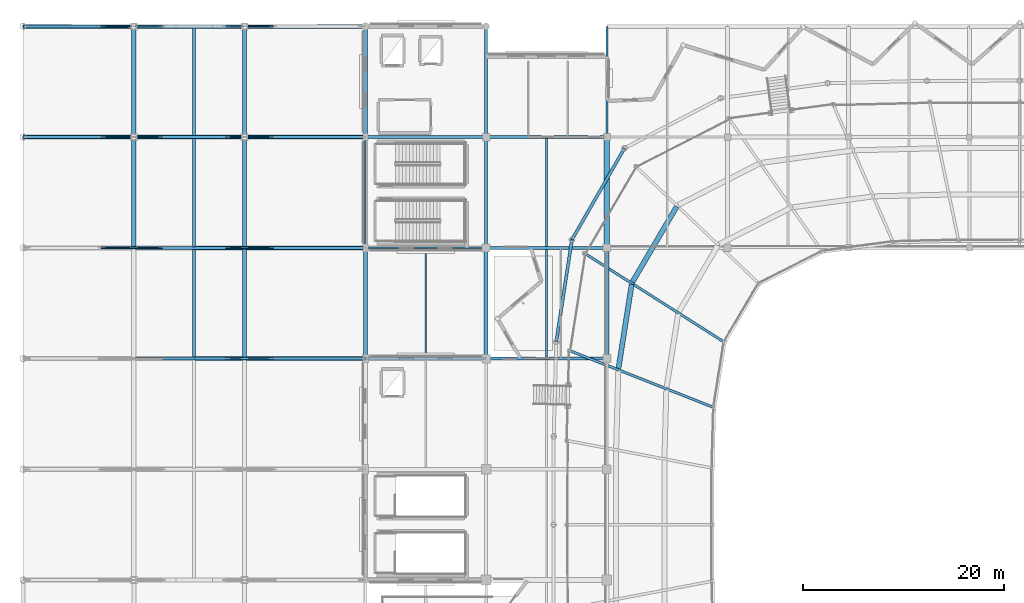
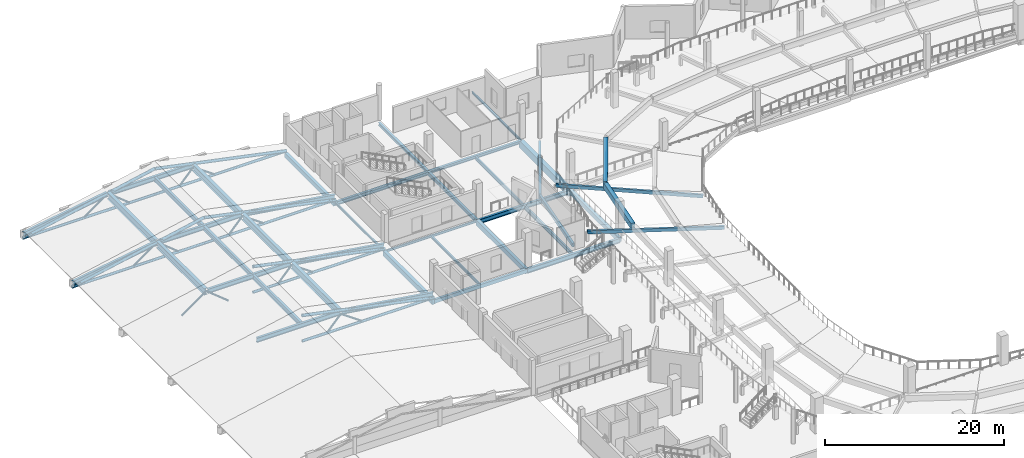
# One storey, part 30 of 77: 41 beams, 26 members.
"""IFC4 building model written with IfcOpenShell, lengths in metres."""

from ifc_helpers import new_model, si_unit, direction, frame, origin, origin_2d, place, context, subcontext, project, spatial, rectangle, hollow_rectangle, hollow_circle, i_section, extrude, material, material_profile, profile_set, type_object, element, save


model = new_model("IFC4")

# Units and contexts
model_context = context("Model", 3, precision=1e-05, world=origin(), true_north=direction((0.0, 1.0)))
body_context = subcontext(model_context, "Body", "Model", "MODEL_VIEW")
ifc_project = project(units=[si_unit("LENGTHUNIT", "METRE"), si_unit("AREAUNIT", "SQUARE_METRE"), si_unit("VOLUMEUNIT", "CUBIC_METRE"), si_unit("PLANEANGLEUNIT", "RADIAN"), si_unit("MASSUNIT", "GRAM", prefix="KILO")], contexts=[model_context])

# Site, building, storey
site_placement = place(None, origin())
site = spatial("IfcSite", under=ifc_project, at=site_placement, CompositionType="ELEMENT")
building_placement = place(site_placement, origin())
building = spatial("IfcBuilding", under=site, at=building_placement, Name="Luwafu Chhajja Arena", CompositionType="ELEMENT")
storey_placement = place(building_placement, frame((0.0, 0.0, 14.699951171875)))
storey = spatial("IfcBuildingStorey", under=building, at=storey_placement, Name="L03", CompositionType="ELEMENT", Elevation=14.699951171875)

# Beams
ifc_material_1 = material(Name="Steel S355", Category="steel")
ifc_material_profile_1 = material_profile(ifc_material_1, hollow_rectangle(XDim=0.25, YDim=0.449951171875, WallThickness=0.01611328125, at=origin_2d()), Name="RHS 450x250x16")
ifc_profile_set_1 = profile_set([ifc_material_profile_1], Name="Steel S355")
beam_type_1 = type_object("IfcBeamType", Name="Cantilevered Upper Bowl Raker RHS 450x250", PredefinedType="USERDEFINED", material=ifc_profile_set_1)
beam_1_placement = place(storey_placement, frame((69.701416015625, 67.600341796875, 0.239990234375), z_axis=(-0.842344515342, 0.535670990695, 0.059264721387), x_axis=(-0.536614196584, -0.843827709917, 0.0)))
element("IfcBeam", 1, at=beam_1_placement, inside=storey, type_object=beam_type_1, Name="Upper Bowl Raker RKR-U14", ObjectType="RAKER", PredefinedType="USERDEFINED", context=body_context, shape_type="SweptSolid", body=[
    extrude(hollow_rectangle(XDim=0.25, YDim=0.449951171875, WallThickness=0.01611328125, at=origin_2d()), origin(), (0.0, 0.0, 1.0), 16.53564453125),
])
beam_2_placement = place(storey_placement, frame((68.676513671875, 61.11328125, 0.239990234375), z_axis=(-0.928463965144, 0.366020596475, 0.063115674639), x_axis=(-0.366751819568, -0.930318817849, 0.0)))
element("IfcBeam", 2, at=beam_2_placement, inside=storey, type_object=beam_type_1, Name="Upper Bowl Raker RKR-U15", ObjectType="RAKER", PredefinedType="USERDEFINED", context=body_context, shape_type="SweptSolid", body=[
    extrude(hollow_rectangle(XDim=0.25, YDim=0.449951171875, WallThickness=0.01611328125, at=origin_2d()), origin(), (0.0, 0.0, 1.0), 15.52685546875),
])
ifc_material_profile_2 = material_profile(ifc_material_1, i_section(OverallWidth=0.165771484375, OverallDepth=0.306640625, WebThickness=0.006591796875, FlangeThickness=0.01171875, at=origin_2d()), Name="UB 305x165x46")
ifc_profile_set_2 = profile_set([ifc_material_profile_2], Name="Steel S355")
beam_type_2 = type_object("IfcBeamType", Name="Concourse Edge Spandrel Beam UB 305x165x46", PredefinedType="SPANDREL", material=ifc_profile_set_2)
beam_3_placement = place(storey_placement, frame((34.0, 77.0, -0.543212890625), z_axis=(1.0, 0.0, 0.0), x_axis=(0.0, 1.0, 0.0)))
element("IfcBeam", 3, at=beam_3_placement, inside=storey, type_object=beam_type_2, Name="L03 Grid Beam 4-5/H", PredefinedType="SPANDREL", context=body_context, shape_type="SweptSolid", body=[
    extrude(i_section(OverallWidth=0.165771484375, OverallDepth=0.306640625, WebThickness=0.006591796875, FlangeThickness=0.01171875, at=origin_2d()), origin(), (0.0, 0.0, 1.0), 12.0),
])
for number, where, z_axis, x_axis, name in (
    (4, (34.0, 77.0, -0.543212890625), (0.0, 1.0, 0.0), (-1.0, 0.0, 0.0), "L03 Grid Beam 4/H-J"),
    (5, (58.0, 88.0, -0.543212890625), (0.0, 1.0, 0.0), (-1.0, 0.0, 0.0), "L03 Grid Beam 6/J-K"),
):
    element("IfcBeam", number, at=place(storey_placement, frame(where, z_axis=z_axis, x_axis=x_axis)), inside=storey, type_object=beam_type_2, Name=name, PredefinedType="SPANDREL", context=body_context, shape_type="SweptSolid", body=[
        extrude(i_section(OverallWidth=0.165771484375, OverallDepth=0.306640625, WebThickness=0.006591796875, FlangeThickness=0.01171875, at=origin_2d()), origin(), (0.0, 0.0, 1.0), 11.0),
    ])
ifc_material_2 = material(Name="Concrete C35/45", Category="concrete")
ifc_material_profile_3 = material_profile(ifc_material_2, rectangle(XDim=0.550048828125, YDim=0.949951171875, at=origin_2d()), Name="RC 550x950")
ifc_profile_set_3 = profile_set([ifc_material_profile_3], Name="Concrete C35/45")
beam_type_3 = type_object("IfcBeamType", Name="Concourse Radial Girder RC 550x950", PredefinedType="BEAM", material=ifc_profile_set_3)
beam_4_placement = place(storey_placement, frame((58.0, 77.0, -0.864990234375), z_axis=(0.0, 1.0, 0.0), x_axis=(-1.0, 0.0, 0.0)))
element("IfcBeam", 6, at=beam_4_placement, inside=storey, type_object=beam_type_3, Name="L03 Grid Beam 6/H-J", PredefinedType="BEAM", context=body_context, shape_type="SweptSolid", body=[
    extrude(rectangle(XDim=0.550048828125, YDim=0.949951171875, at=origin_2d()), origin(), (0.0, 0.0, 1.0), 11.0),
])
ifc_material_profile_4 = material_profile(ifc_material_1, i_section(OverallWidth=0.19140625, OverallDepth=0.4599609375, WebThickness=0.010009765625, FlangeThickness=0.01611328125, at=origin_2d()), Name="UB 457x191x82")
ifc_profile_set_4 = profile_set([ifc_material_profile_4], Name="Steel S355")
beam_type_4 = type_object("IfcBeamType", Name="Floor Joist UB 457x191x82", PredefinedType="JOIST", material=ifc_profile_set_4)
beam_5_placement = place(storey_placement, frame((52.0, 77.14990234375, -0.619873046875), z_axis=(0.0, 1.0, 0.0), x_axis=(-1.0, 0.0, 0.0)))
element("IfcBeam", 7, at=beam_5_placement, inside=storey, type_object=beam_type_4, Name="L03 Secondary Joist 5-6/H", PredefinedType="JOIST", context=body_context, shape_type="SweptSolid", body=[
    extrude(i_section(OverallWidth=0.19140625, OverallDepth=0.4599609375, WebThickness=0.010009765625, FlangeThickness=0.01611328125, at=origin_2d()), origin(), (0.0, 0.0, 1.0), 10.7001953125),
])
ifc_material_profile_5 = material_profile(ifc_material_1, i_section(OverallWidth=0.209228515625, OverallDepth=0.533203125, WebThickness=0.010009765625, FlangeThickness=0.015625, at=origin_2d()), Name="UB 533x210x92")
ifc_profile_set_5 = profile_set([ifc_material_profile_5], Name="Steel S355")
beam_type_5 = type_object("IfcBeamType", Name="Floor Joist UB 533x210x92", PredefinedType="JOIST", material=ifc_profile_set_5)
beam_6_placement = place(storey_placement, frame((52.0, 66.153564453125, -0.656494140625), z_axis=(0.0, 1.0, 0.0), x_axis=(-1.0, 0.0, 0.0)))
element("IfcBeam", 8, at=beam_6_placement, inside=storey, type_object=beam_type_5, Name="L03 Secondary Joist 5-6/G", PredefinedType="JOIST", context=body_context, shape_type="SweptSolid", body=[
    extrude(i_section(OverallWidth=0.209228515625, OverallDepth=0.533203125, WebThickness=0.010009765625, FlangeThickness=0.015625, at=origin_2d()), origin(), (0.0, 0.0, 1.0), 10.696533203125),
])
ifc_material_profile_6 = material_profile(ifc_material_2, rectangle(XDim=0.5, YDim=0.800048828125, at=origin_2d()), Name="RC 500x800")
ifc_profile_set_6 = profile_set([ifc_material_profile_6], Name="Concrete C35/45")
beam_type_6 = type_object("IfcBeamType", Name="Hospitality Primary Beam RC 500x800", PredefinedType="BEAM", material=ifc_profile_set_6)
beam_7_placement = place(storey_placement, frame((64.9375, 81.102294921875, 1.380126953125), z_axis=(-0.506098278206, -0.862475815775, 0.0), x_axis=(0.862475815775, -0.506098278206, 0.0)))
element("IfcBeam", 9, at=beam_7_placement, inside=storey, type_object=beam_type_6, Name="Upper Tier Ring Beam S13-B3", PredefinedType="BEAM", context=body_context, shape_type="SweptSolid", body=[
    extrude(rectangle(XDim=0.5, YDim=0.800048828125, at=origin_2d()), origin(), (0.0, 0.0, 1.0), 8.68310546875),
])
beam_8_placement = place(storey_placement, frame((60.46044921875, 73.3818359375, 1.380126953125), z_axis=(-0.154767809248, -0.987950871866, 0.0), x_axis=(0.987950871866, -0.154767809248, 0.0)))
element("IfcBeam", 10, at=beam_8_placement, inside=storey, type_object=beam_type_6, Name="Upper Tier Ring Beam S14-B3", PredefinedType="BEAM", context=body_context, shape_type="SweptSolid", body=[
    extrude(rectangle(XDim=0.5, YDim=0.800048828125, at=origin_2d()), origin(), (0.0, 0.0, 1.0), 8.458251953125),
])
ifc_material_profile_7 = material_profile(ifc_material_1, i_section(OverallWidth=0.41845703125, OverallDepth=0.911865234375, WebThickness=0.019287109375, FlangeThickness=0.031982421875, at=origin_2d()), Name="UB 914x419x343")
ifc_profile_set_7 = profile_set([ifc_material_profile_7], Name="Steel S355")
beam_type_7 = type_object("IfcBeamType", Name="Outer Compression Ring Girder UB 914x419x343", PredefinedType="BEAM", material=ifc_profile_set_7)
for number, where, z_axis, x_axis, name in (
    (11, (11.0, 77.1201171875, 1.949951171875), (0.0, 1.0, 0.0), (-1.0, 0.0, 0.0), "Warm-Up W Spine Girder Bay 7"),
    (12, (11.0, 88.1201171875, 1.949951171875), (0.0, 1.0, 0.0), (-1.0, 0.0, 0.0), "Warm-Up W Spine Girder Bay 8"),
    (13, (22.0, 66.1201171875, 1.949951171875), (0.0, 1.0, 0.0), (-1.0, 0.0, 0.0), "Warm-Up E Spine Girder Bay 6"),
    (14, (22.0, 77.1201171875, 1.949951171875), (0.0, 1.0, 0.0), (-1.0, 0.0, 0.0), "Warm-Up E Spine Girder Bay 7"),
    (15, (22.0, 88.1201171875, 1.949951171875), (0.0, 1.0, 0.0), (-1.0, 0.0, 0.0), "Warm-Up E Spine Girder Bay 8"),
):
    element("IfcBeam", number, at=place(storey_placement, frame(where, z_axis=z_axis, x_axis=x_axis)), inside=storey, type_object=beam_type_7, Name=name, PredefinedType="BEAM", context=body_context, shape_type="SweptSolid", body=[
        extrude(i_section(OverallWidth=0.41845703125, OverallDepth=0.911865234375, WebThickness=0.019287109375, FlangeThickness=0.031982421875, at=origin_2d()), origin(), (0.0, 0.0, 1.0), 10.759765625),
    ])
ifc_material_profile_8 = material_profile(ifc_material_1, hollow_rectangle(XDim=0.300048828125, YDim=0.5, WallThickness=0.02001953125, at=origin_2d()), Name="RHS 500x300x20")
ifc_profile_set_8 = profile_set([ifc_material_profile_8], Name="Steel S355")
beam_type_8 = type_object("IfcBeamType", Name="Pleated Drum Spandrel Beam RHS 500x300", PredefinedType="SPANDREL", material=ifc_profile_set_8)
beam_9_placement = place(storey_placement, frame((34.0, 66.0, -0.639892578125), z_axis=(1.0, 0.0, 0.0), x_axis=(0.0, 1.0, 0.0)))
element("IfcBeam", 16, at=beam_9_placement, inside=storey, type_object=beam_type_8, Name="L03 Grid Beam 4-5/G", PredefinedType="SPANDREL", context=body_context, shape_type="SweptSolid", body=[
    extrude(hollow_rectangle(XDim=0.300048828125, YDim=0.5, WallThickness=0.02001953125, at=origin_2d()), origin(), (0.0, 0.0, 1.0), 12.0),
])
beam_10_placement = place(storey_placement, frame((59.743896484375, 86.890869140625, -0.639892578125), z_axis=(-0.498192671921, -0.867066353657, 0.0), x_axis=(0.867066353657, -0.498192671921, 0.0)))
element("IfcBeam", 17, at=beam_10_placement, inside=storey, type_object=beam_type_8, Name="L03 Drum Ring Spandrel D13-D14", PredefinedType="SPANDREL", context=body_context, shape_type="SweptSolid", body=[
    extrude(hollow_rectangle(XDim=0.300048828125, YDim=0.5, WallThickness=0.02001953125, at=origin_2d()), origin(), (0.0, 0.0, 1.0), 10.477783203125),
])
beam_11_placement = place(storey_placement, frame((54.52392578125, 77.805908203125, -0.639892578125), z_axis=(-0.1515977802, -0.988442265911, 0.0), x_axis=(0.988442265911, -0.1515977802, 0.0)))
element("IfcBeam", 18, at=beam_11_placement, inside=storey, type_object=beam_type_8, Name="L03 Drum Ring Spandrel D14-D15", PredefinedType="SPANDREL", context=body_context, shape_type="SweptSolid", body=[
    extrude(hollow_rectangle(XDim=0.300048828125, YDim=0.5, WallThickness=0.02001953125, at=origin_2d()), origin(), (0.0, 0.0, 1.0), 10.263427734375),
])
ifc_material_profile_9 = material_profile(ifc_material_2, rectangle(XDim=0.39990234375, YDim=0.60009765625, at=origin_2d()), Name="RC 400x600")
ifc_profile_set_9 = profile_set([ifc_material_profile_9], Name="Concrete C35/45")
beam_type_9 = type_object("IfcBeamType", Name="Podium Perimeter Spandrel RC 400x600", PredefinedType="SPANDREL", material=ifc_profile_set_9)
for number, where, z_axis, x_axis, name in (
    (19, (34.0, 88.0, -0.68994140625), (0.0, 1.0, 0.0), (-1.0, 0.0, 0.0), "L03 Grid Beam 4/J-K"),
    (20, (58.0, 66.0, -0.68994140625), (0.0, 1.0, 0.0), (-1.0, 0.0, 0.0), "L03 Grid Beam 6/G-H"),
):
    element("IfcBeam", number, at=place(storey_placement, frame(where, z_axis=z_axis, x_axis=x_axis)), inside=storey, type_object=beam_type_9, Name=name, PredefinedType="SPANDREL", context=body_context, shape_type="SweptSolid", body=[
        extrude(rectangle(XDim=0.39990234375, YDim=0.60009765625, at=origin_2d()), origin(), (0.0, 0.0, 1.0), 11.0),
    ])
ifc_material_profile_10 = material_profile(ifc_material_1, i_section(OverallWidth=0.300048828125, OverallDepth=0.5, WebThickness=0.014404296875, FlangeThickness=0.028076171875, at=origin_2d()), Name="HEB 500")
ifc_profile_set_10 = profile_set([ifc_material_profile_10], Name="Steel S355")
beam_type_10 = type_object("IfcBeamType", Name="Steel Atrium Tie Girder HEB 500", PredefinedType="BEAM", material=ifc_profile_set_10)
beam_12_placement = place(storey_placement, frame((34.0, 88.0, -0.639892578125), z_axis=(1.0, 0.0, 0.0), x_axis=(0.0, 1.0, 0.0)))
element("IfcBeam", 21, at=beam_12_placement, inside=storey, type_object=beam_type_10, Name="L03 Grid Beam 4-5/J", PredefinedType="BEAM", context=body_context, shape_type="SweptSolid", body=[
    extrude(i_section(OverallWidth=0.300048828125, OverallDepth=0.5, WebThickness=0.014404296875, FlangeThickness=0.028076171875, at=origin_2d()), origin(), (0.0, 0.0, 1.0), 12.0),
])
beam_13_placement = place(storey_placement, frame((46.0, 77.0, -0.639892578125), z_axis=(0.0, 1.0, 0.0), x_axis=(-1.0, 0.0, 0.0)))
element("IfcBeam", 22, at=beam_13_placement, inside=storey, type_object=beam_type_10, Name="L03 Grid Beam 5/H-J", PredefinedType="BEAM", context=body_context, shape_type="SweptSolid", body=[
    extrude(i_section(OverallWidth=0.300048828125, OverallDepth=0.5, WebThickness=0.014404296875, FlangeThickness=0.028076171875, at=origin_2d()), origin(), (0.0, 0.0, 1.0), 11.0),
])
ifc_material_profile_11 = material_profile(ifc_material_1, i_section(OverallWidth=0.300048828125, OverallDepth=0.60009765625, WebThickness=0.015380859375, FlangeThickness=0.030029296875, at=origin_2d()), Name="HEB 600")
ifc_profile_set_11 = profile_set([ifc_material_profile_11], Name="Steel S355")
beam_type_11 = type_object("IfcBeamType", Name="Steel Gallery Girder HEB 600", PredefinedType="BEAM", material=ifc_profile_set_11)
beam_14_placement = place(storey_placement, frame((46.0, 77.0, -0.68994140625), z_axis=(1.0, 0.0, 0.0), x_axis=(0.0, 1.0, 0.0)))
element("IfcBeam", 23, at=beam_14_placement, inside=storey, type_object=beam_type_11, Name="L03 Grid Beam 5-6/H", PredefinedType="BEAM", context=body_context, shape_type="SweptSolid", body=[
    extrude(i_section(OverallWidth=0.300048828125, OverallDepth=0.60009765625, WebThickness=0.015380859375, FlangeThickness=0.030029296875, at=origin_2d()), origin(), (0.0, 0.0, 1.0), 12.0),
])
ifc_material_profile_12 = material_profile(ifc_material_1, i_section(OverallWidth=0.30712890625, OverallDepth=0.6201171875, WebThickness=0.01416015625, FlangeThickness=0.023681640625, at=origin_2d()), Name="UB 610x305x179")
ifc_profile_set_12 = profile_set([ifc_material_profile_12], Name="Steel S355")
beam_type_12 = type_object("IfcBeamType", Name="Steel Hospitality Girder UB 610x305x179", PredefinedType="BEAM", material=ifc_profile_set_12)
beam_15_placement = place(storey_placement, frame((46.0, 66.0, -0.699951171875), z_axis=(1.0, 0.0, 0.0), x_axis=(0.0, 1.0, 0.0)))
element("IfcBeam", 24, at=beam_15_placement, inside=storey, type_object=beam_type_12, Name="L03 Grid Beam 5-6/G", PredefinedType="BEAM", context=body_context, shape_type="SweptSolid", body=[
    extrude(i_section(OverallWidth=0.30712890625, OverallDepth=0.6201171875, WebThickness=0.01416015625, FlangeThickness=0.023681640625, at=origin_2d()), origin(), (0.0, 0.0, 1.0), 12.0),
])
beam_16_placement = place(storey_placement, frame((11.1201171875, 66.0, 2.080078125), z_axis=(1.0, 0.0, 0.0), x_axis=(0.0, 1.0, 0.0)))
element("IfcBeam", 25, at=beam_16_placement, inside=storey, type_object=beam_type_12, Name="Warm-Up Truss 03 Crown Tie Girder", PredefinedType="BEAM", context=body_context, shape_type="SweptSolid", body=[
    extrude(i_section(OverallWidth=0.30712890625, OverallDepth=0.6201171875, WebThickness=0.01416015625, FlangeThickness=0.023681640625, at=origin_2d()), origin(), (0.0, 0.0, 1.0), 10.759765625),
])
beam_17_placement = place(storey_placement, frame((22.1201171875, 66.0, 2.080078125), z_axis=(0.989387417973, 0.0, -0.145301538731), x_axis=(0.0, 1.0, 0.0)))
element("IfcBeam", 26, at=beam_17_placement, inside=storey, type_object=beam_type_12, Name="Warm-Up Truss 03 East Rafter", PredefinedType="BEAM", context=body_context, shape_type="SweptSolid", body=[
    extrude(i_section(OverallWidth=0.30712890625, OverallDepth=0.6201171875, WebThickness=0.01416015625, FlangeThickness=0.023681640625, at=origin_2d()), origin(), (0.0, 0.0, 1.0), 11.90625),
])
beam_18_placement = place(storey_placement, frame((11.1201171875, 77.0, 2.080078125), z_axis=(1.0, 0.0, 0.0), x_axis=(0.0, 1.0, 0.0)))
element("IfcBeam", 27, at=beam_18_placement, inside=storey, type_object=beam_type_12, Name="Warm-Up Truss 04 Crown Tie Girder", PredefinedType="BEAM", context=body_context, shape_type="SweptSolid", body=[
    extrude(i_section(OverallWidth=0.30712890625, OverallDepth=0.6201171875, WebThickness=0.01416015625, FlangeThickness=0.023681640625, at=origin_2d()), origin(), (0.0, 0.0, 1.0), 10.759765625),
])
beam_19_placement = place(storey_placement, frame((22.1201171875, 77.0, 2.080078125), z_axis=(0.989387417973, 0.0, -0.145301538731), x_axis=(0.0, 1.0, 0.0)))
element("IfcBeam", 28, at=beam_19_placement, inside=storey, type_object=beam_type_12, Name="Warm-Up Truss 04 East Rafter", PredefinedType="BEAM", context=body_context, shape_type="SweptSolid", body=[
    extrude(i_section(OverallWidth=0.30712890625, OverallDepth=0.6201171875, WebThickness=0.01416015625, FlangeThickness=0.023681640625, at=origin_2d()), origin(), (0.0, 0.0, 1.0), 11.90625),
])
beam_20_placement = place(storey_placement, frame((0.10009765625, 88.0, 0.35009765625), z_axis=(0.987366005777, 0.0, 0.158456210467), x_axis=(0.0, 1.0, 0.0)))
element("IfcBeam", 29, at=beam_20_placement, inside=storey, type_object=beam_type_12, Name="Warm-Up Truss 05 West Rafter", PredefinedType="BEAM", context=body_context, shape_type="SweptSolid", body=[
    extrude(i_section(OverallWidth=0.30712890625, OverallDepth=0.6201171875, WebThickness=0.01416015625, FlangeThickness=0.023681640625, at=origin_2d()), origin(), (0.0, 0.0, 1.0), 10.917724609375),
])
beam_21_placement = place(storey_placement, frame((11.1201171875, 88.0, 2.080078125), z_axis=(1.0, 0.0, 0.0), x_axis=(0.0, 1.0, 0.0)))
element("IfcBeam", 30, at=beam_21_placement, inside=storey, type_object=beam_type_12, Name="Warm-Up Truss 05 Crown Tie Girder", PredefinedType="BEAM", context=body_context, shape_type="SweptSolid", body=[
    extrude(i_section(OverallWidth=0.30712890625, OverallDepth=0.6201171875, WebThickness=0.01416015625, FlangeThickness=0.023681640625, at=origin_2d()), origin(), (0.0, 0.0, 1.0), 10.759765625),
])
beam_22_placement = place(storey_placement, frame((22.1201171875, 88.0, 2.080078125), z_axis=(0.989387417973, 0.0, -0.145301538731), x_axis=(0.0, 1.0, 0.0)))
element("IfcBeam", 31, at=beam_22_placement, inside=storey, type_object=beam_type_12, Name="Warm-Up Truss 05 East Rafter", PredefinedType="BEAM", context=body_context, shape_type="SweptSolid", body=[
    extrude(i_section(OverallWidth=0.30712890625, OverallDepth=0.6201171875, WebThickness=0.01416015625, FlangeThickness=0.023681640625, at=origin_2d()), origin(), (0.0, 0.0, 1.0), 11.90625),
])
beam_23_placement = place(storey_placement, frame((0.10009765625, 99.0, 0.35009765625), z_axis=(0.987366005777, 0.0, 0.158456210467), x_axis=(0.0, 1.0, 0.0)))
element("IfcBeam", 32, at=beam_23_placement, inside=storey, type_object=beam_type_12, Name="Warm-Up Truss 06 West Rafter", PredefinedType="BEAM", context=body_context, shape_type="SweptSolid", body=[
    extrude(i_section(OverallWidth=0.30712890625, OverallDepth=0.6201171875, WebThickness=0.01416015625, FlangeThickness=0.023681640625, at=origin_2d()), origin(), (0.0, 0.0, 1.0), 10.917724609375),
])
beam_24_placement = place(storey_placement, frame((11.1201171875, 99.0, 2.080078125), z_axis=(1.0, 0.0, 0.0), x_axis=(0.0, 1.0, 0.0)))
element("IfcBeam", 33, at=beam_24_placement, inside=storey, type_object=beam_type_12, Name="Warm-Up Truss 06 Crown Tie Girder", PredefinedType="BEAM", context=body_context, shape_type="SweptSolid", body=[
    extrude(i_section(OverallWidth=0.30712890625, OverallDepth=0.6201171875, WebThickness=0.01416015625, FlangeThickness=0.023681640625, at=origin_2d()), origin(), (0.0, 0.0, 1.0), 10.759765625),
])
for number, where, z_axis, x_axis, name in (
    (34, (17.0, 66.10009765625, 2.080078125), (0.0, 1.0, 0.0), (-1.0, 0.0, 0.0), "Warm-Up Ridge Girder Bay 6"),
    (35, (17.0, 77.10009765625, 2.080078125), (0.0, 1.0, 0.0), (-1.0, 0.0, 0.0), "Warm-Up Ridge Girder Bay 7"),
    (36, (17.0, 88.10009765625, 2.080078125), (0.0, 1.0, 0.0), (-1.0, 0.0, 0.0), "Warm-Up Ridge Girder Bay 8"),
):
    element("IfcBeam", number, at=place(storey_placement, frame(where, z_axis=z_axis, x_axis=x_axis)), inside=storey, type_object=beam_type_12, Name=name, PredefinedType="BEAM", context=body_context, shape_type="SweptSolid", body=[
        extrude(i_section(OverallWidth=0.30712890625, OverallDepth=0.6201171875, WebThickness=0.01416015625, FlangeThickness=0.023681640625, at=origin_2d()), origin(), (0.0, 0.0, 1.0), 10.7998046875),
    ])
ifc_material_profile_13 = material_profile(ifc_material_1, i_section(OverallWidth=0.300048828125, OverallDepth=0.39990234375, WebThickness=0.013427734375, FlangeThickness=0.02392578125, at=origin_2d()), Name="HEB 400")
ifc_profile_set_13 = profile_set([ifc_material_profile_13], Name="Steel S355")
beam_type_13 = type_object("IfcBeamType", Name="Steel Rigging Grid Beam HEB 400", PredefinedType="BEAM", material=ifc_profile_set_13)
beam_25_placement = place(storey_placement, frame((46.0, 88.0, -0.58984375), z_axis=(1.0, 0.0, 0.0), x_axis=(0.0, 1.0, 0.0)))
element("IfcBeam", 37, at=beam_25_placement, inside=storey, type_object=beam_type_13, Name="L03 Grid Beam 5-6/J", PredefinedType="BEAM", context=body_context, shape_type="SweptSolid", body=[
    extrude(i_section(OverallWidth=0.300048828125, OverallDepth=0.39990234375, WebThickness=0.013427734375, FlangeThickness=0.02392578125, at=origin_2d()), origin(), (0.0, 0.0, 1.0), 12.0),
])
beam_26_placement = place(storey_placement, frame((46.0, 88.0, -0.58984375), z_axis=(0.0, 1.0, 0.0), x_axis=(-1.0, 0.0, 0.0)))
element("IfcBeam", 38, at=beam_26_placement, inside=storey, type_object=beam_type_13, Name="L03 Grid Beam 5/J-K", PredefinedType="BEAM", context=body_context, shape_type="SweptSolid", body=[
    extrude(i_section(OverallWidth=0.300048828125, OverallDepth=0.39990234375, WebThickness=0.013427734375, FlangeThickness=0.02392578125, at=origin_2d()), origin(), (0.0, 0.0, 1.0), 11.0),
])

# Members
ifc_material_profile_14 = material_profile(ifc_material_1, hollow_circle(Radius=0.177734375, WallThickness=0.01416015625, at=origin_2d()), Name="CHS 355.6x14.2")
ifc_profile_set_14 = profile_set([ifc_material_profile_14], Name="Steel S355")
member_type_1 = type_object("IfcMemberType", Name="Warm-Up Truss Bottom Chord CHS 355", PredefinedType="CHORD", material=ifc_profile_set_14)
for number, where, z_axis, x_axis, name in (
    (39, (17.0, 66.0, -0.14990234375), (1.0, 0.0, 0.0), (0.0, 1.0, 0.0), "Roof truss bottom chord WT-03E"),
    (40, (17.0, 77.0, -0.14990234375), (1.0, 0.0, 0.0), (0.0, 1.0, 0.0), "Roof truss bottom chord WT-04E"),
    (41, (0.0, 88.0, -0.14990234375), (1.0, 0.0, 0.0), (0.0, 1.0, 0.0), "Roof truss bottom chord WT-05W"),
    (42, (17.0, 88.0, -0.14990234375), (1.0, 0.0, 0.0), (0.0, 1.0, 0.0), "Roof truss bottom chord WT-05E"),
    (43, (0.0, 99.0, -0.14990234375), (1.0, 0.0, 0.0), (0.0, 1.0, 0.0), "Roof truss bottom chord WT-06W"),
    (44, (17.0, 99.0, -0.14990234375), (1.0, 0.0, 0.0), (0.0, 1.0, 0.0), "Roof truss bottom chord WT-06E"),
):
    element("IfcMember", number, at=place(storey_placement, frame(where, z_axis=z_axis, x_axis=x_axis)), inside=storey, type_object=member_type_1, Name=name, PredefinedType="CHORD", context=body_context, shape_type="SweptSolid", body=[
        extrude(hollow_circle(Radius=0.177734375, WallThickness=0.01416015625, at=origin_2d()), origin(), (0.0, 0.0, 1.0), 17.0),
    ])
ifc_material_profile_15 = material_profile(ifc_material_1, hollow_circle(Radius=0.203125, WallThickness=0.01611328125, at=origin_2d()), Name="CHS 406.4x16")
ifc_profile_set_15 = profile_set([ifc_material_profile_15], Name="Steel S355")
member_type_2 = type_object("IfcMemberType", Name="Warm-Up Truss Top Chord CHS 406", PredefinedType="CHORD", material=ifc_profile_set_15)
for number, where, z_axis, x_axis, name in (
    (45, (17.0, 66.0, 3.35009765625), (0.979457043257, 0.0, -0.20165292067), (0.0, 1.0, 0.0), "Roof truss top chord WT-03E"),
    (46, (17.0, 77.0, 3.35009765625), (0.979457043257, 0.0, -0.20165292067), (0.0, 1.0, 0.0), "Roof truss top chord WT-04E"),
    (47, (0.0, 88.0, -0.14990234375), (0.979457043257, 0.0, 0.20165292067), (0.0, 1.0, 0.0), "Roof truss top chord WT-05W"),
    (48, (17.0, 88.0, 3.35009765625), (0.979457043257, 0.0, -0.20165292067), (0.0, 1.0, 0.0), "Roof truss top chord WT-05E"),
    (49, (0.0, 99.0, -0.14990234375), (0.979457043257, 0.0, 0.20165292067), (0.0, 1.0, 0.0), "Roof truss top chord WT-06W"),
    (50, (17.0, 99.0, 3.35009765625), (0.979457043257, 0.0, -0.20165292067), (0.0, 1.0, 0.0), "Roof truss top chord WT-06E"),
):
    element("IfcMember", number, at=place(storey_placement, frame(where, z_axis=z_axis, x_axis=x_axis)), inside=storey, type_object=member_type_2, Name=name, PredefinedType="CHORD", context=body_context, shape_type="SweptSolid", body=[
        extrude(hollow_circle(Radius=0.203125, WallThickness=0.01611328125, at=origin_2d()), origin(), (0.0, 0.0, 1.0), 17.3564453125),
    ])
ifc_material_profile_16 = material_profile(ifc_material_1, hollow_circle(Radius=0.122314453125, WallThickness=0.010009765625, at=origin_2d()), Name="CHS 244.5x10")
ifc_profile_set_16 = profile_set([ifc_material_profile_16], Name="Steel S355")
member_type_3 = type_object("IfcMemberType", Name="Warm-Up Truss Web Diagonal CHS 244", PredefinedType="BRACE", material=ifc_profile_set_16)
member_1_placement = place(storey_placement, frame((20.199951171875, 66.0, -0.14990234375), z_axis=(0.674551328566, 0.0, 0.738227949301), x_axis=(0.0, 1.0, 0.0)))
element("IfcMember", 51, at=member_1_placement, inside=storey, type_object=member_type_3, Name="Roof truss web diagonal WT-03-D3", PredefinedType="BRACE", context=body_context, shape_type="SweptSolid", body=[
    extrude(hollow_circle(Radius=0.122314453125, WallThickness=0.010009765625, at=origin_2d()), origin(), (0.0, 0.0, 1.0), 2.66845703125),
])
member_2_placement = place(storey_placement, frame((22.0, 66.0, 1.820068359375), z_axis=(0.817866080639, 0.0, -0.575408614934), x_axis=(0.0, 1.0, 0.0)))
element("IfcMember", 52, at=member_2_placement, inside=storey, type_object=member_type_3, Name="Roof truss web diagonal WT-03-D4", PredefinedType="BRACE", context=body_context, shape_type="SweptSolid", body=[
    extrude(hollow_circle(Radius=0.122314453125, WallThickness=0.010009765625, at=origin_2d()), origin(), (0.0, 0.0, 1.0), 3.423583984375),
])
member_3_placement = place(storey_placement, frame((7.800048828125, 77.0, -0.14990234375), z_axis=(0.81682103347, 0.0, 0.576891150288), x_axis=(0.0, 1.0, 0.0)))
element("IfcMember", 53, at=member_3_placement, inside=storey, type_object=member_type_3, Name="Roof truss web diagonal WT-04-D1", PredefinedType="BRACE", context=body_context, shape_type="SweptSolid", body=[
    extrude(hollow_circle(Radius=0.122314453125, WallThickness=0.010009765625, at=origin_2d()), origin(), (0.0, 0.0, 1.0), 3.91748046875),
])
member_4_placement = place(storey_placement, frame((11.0, 77.0, 2.110107421875), z_axis=(0.778154156625, 0.0, -0.628073330533), x_axis=(0.0, 1.0, 0.0)))
element("IfcMember", 54, at=member_4_placement, inside=storey, type_object=member_type_3, Name="Roof truss web diagonal WT-04-D2", PredefinedType="BRACE", context=body_context, shape_type="SweptSolid", body=[
    extrude(hollow_circle(Radius=0.122314453125, WallThickness=0.010009765625, at=origin_2d()), origin(), (0.0, 0.0, 1.0), 3.598388671875),
])
member_5_placement = place(storey_placement, frame((20.199951171875, 77.0, -0.14990234375), z_axis=(0.674551328566, 0.0, 0.738227949301), x_axis=(0.0, 1.0, 0.0)))
element("IfcMember", 55, at=member_5_placement, inside=storey, type_object=member_type_3, Name="Roof truss web diagonal WT-04-D3", PredefinedType="BRACE", context=body_context, shape_type="SweptSolid", body=[
    extrude(hollow_circle(Radius=0.122314453125, WallThickness=0.010009765625, at=origin_2d()), origin(), (0.0, 0.0, 1.0), 2.66845703125),
])
member_6_placement = place(storey_placement, frame((22.0, 77.0, 1.820068359375), z_axis=(0.817866080639, 0.0, -0.575408614934), x_axis=(0.0, 1.0, 0.0)))
element("IfcMember", 56, at=member_6_placement, inside=storey, type_object=member_type_3, Name="Roof truss web diagonal WT-04-D4", PredefinedType="BRACE", context=body_context, shape_type="SweptSolid", body=[
    extrude(hollow_circle(Radius=0.122314453125, WallThickness=0.010009765625, at=origin_2d()), origin(), (0.0, 0.0, 1.0), 3.423583984375),
])
member_7_placement = place(storey_placement, frame((7.800048828125, 88.0, -0.14990234375), z_axis=(0.81682103347, 0.0, 0.576891150288), x_axis=(0.0, 1.0, 0.0)))
element("IfcMember", 57, at=member_7_placement, inside=storey, type_object=member_type_3, Name="Roof truss web diagonal WT-05-D1", PredefinedType="BRACE", context=body_context, shape_type="SweptSolid", body=[
    extrude(hollow_circle(Radius=0.122314453125, WallThickness=0.010009765625, at=origin_2d()), origin(), (0.0, 0.0, 1.0), 3.91748046875),
])
member_8_placement = place(storey_placement, frame((11.0, 88.0, 2.110107421875), z_axis=(0.778154156625, 0.0, -0.628073330533), x_axis=(0.0, 1.0, 0.0)))
element("IfcMember", 58, at=member_8_placement, inside=storey, type_object=member_type_3, Name="Roof truss web diagonal WT-05-D2", PredefinedType="BRACE", context=body_context, shape_type="SweptSolid", body=[
    extrude(hollow_circle(Radius=0.122314453125, WallThickness=0.010009765625, at=origin_2d()), origin(), (0.0, 0.0, 1.0), 3.598388671875),
])
member_9_placement = place(storey_placement, frame((20.199951171875, 88.0, -0.14990234375), z_axis=(0.674551328566, 0.0, 0.738227949301), x_axis=(0.0, 1.0, 0.0)))
element("IfcMember", 59, at=member_9_placement, inside=storey, type_object=member_type_3, Name="Roof truss web diagonal WT-05-D3", PredefinedType="BRACE", context=body_context, shape_type="SweptSolid", body=[
    extrude(hollow_circle(Radius=0.122314453125, WallThickness=0.010009765625, at=origin_2d()), origin(), (0.0, 0.0, 1.0), 2.66845703125),
])
member_10_placement = place(storey_placement, frame((22.0, 88.0, 1.820068359375), z_axis=(0.817866080639, 0.0, -0.575408614934), x_axis=(0.0, 1.0, 0.0)))
element("IfcMember", 60, at=member_10_placement, inside=storey, type_object=member_type_3, Name="Roof truss web diagonal WT-05-D4", PredefinedType="BRACE", context=body_context, shape_type="SweptSolid", body=[
    extrude(hollow_circle(Radius=0.122314453125, WallThickness=0.010009765625, at=origin_2d()), origin(), (0.0, 0.0, 1.0), 3.423583984375),
])
member_11_placement = place(storey_placement, frame((7.800048828125, 99.0, -0.14990234375), z_axis=(0.81682103347, 0.0, 0.576891150288), x_axis=(0.0, 1.0, 0.0)))
element("IfcMember", 61, at=member_11_placement, inside=storey, type_object=member_type_3, Name="Roof truss web diagonal WT-06-D1", PredefinedType="BRACE", context=body_context, shape_type="SweptSolid", body=[
    extrude(hollow_circle(Radius=0.122314453125, WallThickness=0.010009765625, at=origin_2d()), origin(), (0.0, 0.0, 1.0), 3.91748046875),
])
member_12_placement = place(storey_placement, frame((11.0, 99.0, 2.110107421875), z_axis=(0.778154156625, 0.0, -0.628073330533), x_axis=(0.0, 1.0, 0.0)))
element("IfcMember", 62, at=member_12_placement, inside=storey, type_object=member_type_3, Name="Roof truss web diagonal WT-06-D2", PredefinedType="BRACE", context=body_context, shape_type="SweptSolid", body=[
    extrude(hollow_circle(Radius=0.122314453125, WallThickness=0.010009765625, at=origin_2d()), origin(), (0.0, 0.0, 1.0), 3.598388671875),
])
member_13_placement = place(storey_placement, frame((20.199951171875, 99.0, -0.14990234375), z_axis=(0.674551328566, 0.0, 0.738227949301), x_axis=(0.0, 1.0, 0.0)))
element("IfcMember", 63, at=member_13_placement, inside=storey, type_object=member_type_3, Name="Roof truss web diagonal WT-06-D3", PredefinedType="BRACE", context=body_context, shape_type="SweptSolid", body=[
    extrude(hollow_circle(Radius=0.122314453125, WallThickness=0.010009765625, at=origin_2d()), origin(), (0.0, 0.0, 1.0), 2.66845703125),
])
member_14_placement = place(storey_placement, frame((22.0, 99.0, 1.820068359375), z_axis=(0.817866080639, 0.0, -0.575408614934), x_axis=(0.0, 1.0, 0.0)))
element("IfcMember", 64, at=member_14_placement, inside=storey, type_object=member_type_3, Name="Roof truss web diagonal WT-06-D4", PredefinedType="BRACE", context=body_context, shape_type="SweptSolid", body=[
    extrude(hollow_circle(Radius=0.122314453125, WallThickness=0.010009765625, at=origin_2d()), origin(), (0.0, 0.0, 1.0), 3.423583984375),
])

# Beams
ifc_material_profile_17 = material_profile(ifc_material_2, rectangle(XDim=0.39990234375, YDim=0.699951171875, at=origin_2d()), Name="RC 400x700")
ifc_profile_set_17 = profile_set([ifc_material_profile_17], Name="Concrete C35/45")
beam_type_14 = type_object("IfcBeamType", Name="Wing Frame Beam RC 400x700", PredefinedType="BEAM", material=ifc_profile_set_17)
for number, where, z_axis, x_axis, name in (
    (65, (34.0, 66.0, -0.724853515625), (0.0, 1.0, 0.0), (-1.0, 0.0, 0.0), "L03 Podium Roof Deck Beam Y-03_06"),
    (66, (46.0, 66.0, -0.724853515625), (0.0, 1.0, 0.0), (-1.0, 0.0, 0.0), "L03 Podium Roof Deck Beam Y-04_06"),
):
    element("IfcBeam", number, at=place(storey_placement, frame(where, z_axis=z_axis, x_axis=x_axis)), inside=storey, type_object=beam_type_14, Name=name, PredefinedType="BEAM", context=body_context, shape_type="SweptSolid", body=[
        extrude(rectangle(XDim=0.39990234375, YDim=0.699951171875, at=origin_2d()), origin(), (0.0, 0.0, 1.0), 11.0),
    ])
ifc_material_profile_18 = material_profile(ifc_material_1, i_section(OverallWidth=0.172119140625, OverallDepth=0.35791015625, WebThickness=0.008056640625, FlangeThickness=0.012939453125, at=origin_2d()), Name="UB 356x171x57")
ifc_profile_set_18 = profile_set([ifc_material_profile_18], Name="Steel S355")
beam_type_15 = type_object("IfcBeamType", Name="Wing Roof Purlin Joist UB 356x171x57", PredefinedType="JOIST", material=ifc_profile_set_18)
beam_27_placement = place(storey_placement, frame((40.0, 66.10009765625, -0.554931640625), z_axis=(0.0, 1.0, 0.0), x_axis=(-1.0, 0.0, 0.0)))
element("IfcBeam", 67, at=beam_27_placement, inside=storey, type_object=beam_type_15, Name="L03 Podium Roof Joist 3/6", PredefinedType="JOIST", context=body_context, shape_type="SweptSolid", body=[
    extrude(i_section(OverallWidth=0.172119140625, OverallDepth=0.35791015625, WebThickness=0.008056640625, FlangeThickness=0.012939453125, at=origin_2d()), origin(), (0.0, 0.0, 1.0), 10.7998046875),
])

save(model, "model.ifc")
